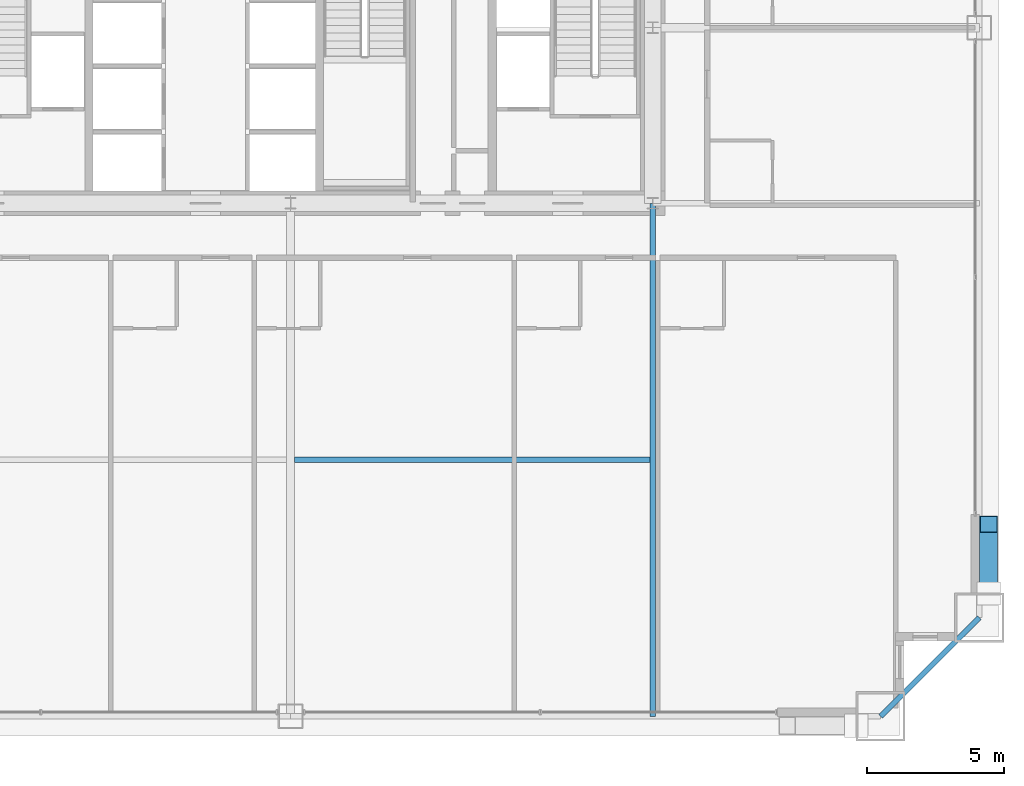
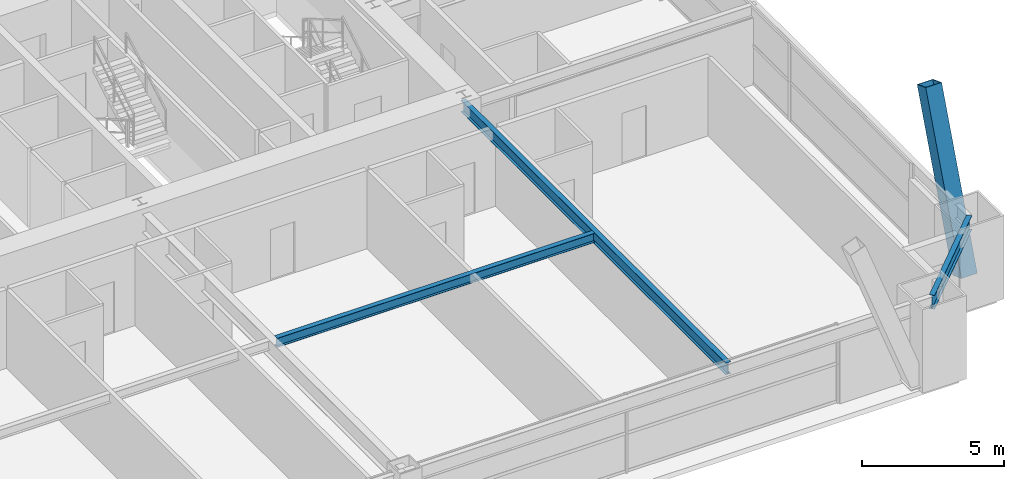
# One storey, part 16 of 43: 3 beams, 1 member.
"""IFC4 building model written with IfcOpenShell, lengths in metres."""

from ifc_helpers import new_model, si_unit, direction, frame, origin, origin_2d, place, context, subcontext, project, spatial, hollow_rectangle, i_section, extrude, source, transform, mapped, material, material_profile, profile_set, type_object, element, save


model = new_model("IFC4")

# Units and contexts
model_context = context("Model", 3, precision=1e-05, world=origin(), true_north=direction((0.0, 1.0)))
body_context = subcontext(model_context, "Body", "Model", "MODEL_VIEW")
ifc_project = project(units=[si_unit("LENGTHUNIT", "METRE"), si_unit("AREAUNIT", "SQUARE_METRE"), si_unit("VOLUMEUNIT", "CUBIC_METRE"), si_unit("PLANEANGLEUNIT", "RADIAN"), si_unit("MASSUNIT", "GRAM", prefix="KILO"), si_unit("THERMODYNAMICTEMPERATUREUNIT", "KELVIN"), si_unit("POWERUNIT", "WATT")], contexts=[model_context])

# Site, building, storey
site_placement = place(None, origin())
site = spatial("IfcSite", under=ifc_project, at=site_placement, CompositionType="ELEMENT")
building_placement = place(site_placement, origin())
building = spatial("IfcBuilding", under=site, at=building_placement, Name="Yuzanri Waterfront Tower", CompositionType="ELEMENT")
storey_placement = place(building_placement, frame((0.0, 0.0, 60.39990234375)))
storey = spatial("IfcBuildingStorey", under=building, at=storey_placement, Name="L15", CompositionType="ELEMENT", Elevation=60.39990234375)

# Beams
ifc_material_1 = material(Name="Steel Q355B", Category="steel")
ifc_material_profile_1 = material_profile(ifc_material_1, i_section(OverallWidth=0.199951171875, OverallDepth=0.60009765625, WebThickness=0.010986328125, FlangeThickness=0.01708984375, at=origin_2d()), Name="HN 600x200x11x17")
ifc_profile_set_1 = profile_set([ifc_material_profile_1], Name="Steel Q355B")
beam_type_1 = type_object("IfcBeamType", Name="Perimeter Spandrel Q355B HN 600x200", PredefinedType="SPANDREL", material=ifc_profile_set_1)
shared_shape_1 = source(origin(), body_context, "Body", "SweptSolid", [
    extrude(i_section(OverallWidth=0.199951171875, OverallDepth=0.60009765625, WebThickness=0.010986328125, FlangeThickness=0.01708984375, at=origin_2d()), origin(), (0.0, 0.0, 1.0), 5.09130859375),
])
beam_1_placement = place(storey_placement, frame((58.5, 0.699951171875, 3.080078125), z_axis=(0.707106781187, 0.707106781187, 0.0), x_axis=(-0.707106781187, 0.707106781187, 0.0)))
element("IfcBeam", 1, at=beam_1_placement, inside=storey, type_object=beam_type_1, Name="L15 Perimeter Spandrel S3-E1", PredefinedType="SPANDREL", context=body_context, shape_type="MappedRepresentation", body=[
    mapped(shared_shape_1, transform((0.0, 0.0, 0.0), scale=1.0)),
])
ifc_material_2 = material(Name="Steel Q355B", Category="steel")
ifc_material_profile_2 = material_profile(ifc_material_2, i_section(OverallWidth=0.199951171875, OverallDepth=0.5, WebThickness=0.010009765625, FlangeThickness=0.01611328125, at=origin_2d()), Name="HN 500x200x10x16")
ifc_profile_set_2 = profile_set([ifc_material_profile_2], Name="Steel Q355B")
beam_type_2 = type_object("IfcBeamType", Name="Secondary Floor Beam Q355B HN 500x200", PredefinedType="BEAM", material=ifc_profile_set_2)
shared_shape_2 = source(origin(), body_context, "Body", "SweptSolid", [
    extrude(i_section(OverallWidth=0.199951171875, OverallDepth=0.5, WebThickness=0.010009765625, FlangeThickness=0.01611328125, at=origin_2d()), origin(), (0.0, 0.0, 1.0), 18.699951171875),
])
beam_2_placement = place(storey_placement, frame((50.199951171875, 19.39990234375, 3.130126953125), z_axis=(0.0, -1.0, 0.0), x_axis=(1.0, 0.0, 0.0)))
element("IfcBeam", 2, at=beam_2_placement, inside=storey, type_object=beam_type_2, Name="L15 South-East Core Line Beam", PredefinedType="BEAM", context=body_context, shape_type="MappedRepresentation", body=[
    mapped(shared_shape_2, transform((0.0, 0.0, 0.0), scale=1.0)),
])
ifc_material_3 = material(Name="Steel Q355B", Category="steel")
ifc_material_profile_3 = material_profile(ifc_material_3, i_section(OverallWidth=0.199951171875, OverallDepth=0.39990234375, WebThickness=0.008056640625, FlangeThickness=0.012939453125, at=origin_2d()), Name="HN 400x200x8x13")
ifc_profile_set_3 = profile_set([ifc_material_profile_3], Name="Steel Q355B")
beam_type_3 = type_object("IfcBeamType", Name="Floor Joist Q355B HN 400x200", PredefinedType="JOIST", material=ifc_profile_set_3)
shared_shape_3 = source(origin(), body_context, "Body", "SweptSolid", [
    extrude(i_section(OverallWidth=0.199951171875, OverallDepth=0.39990234375, WebThickness=0.008056640625, FlangeThickness=0.012939453125, at=origin_2d()), origin(), (0.0, 0.0, 1.0), 12.9501953125),
])
beam_3_placement = place(storey_placement, frame((37.14990234375, 10.050048828125, 3.18017578125), z_axis=(1.0, 0.0, 0.0), x_axis=(0.0, 1.0, 0.0)))
element("IfcBeam", 3, at=beam_3_placement, inside=storey, type_object=beam_type_3, Name="L15 South Bay Joist E", PredefinedType="JOIST", context=body_context, shape_type="MappedRepresentation", body=[
    mapped(shared_shape_3, transform((0.0, 0.0, 0.0), scale=1.0)),
])

# Member
ifc_material_4 = material(Name="Steel Q420GJC", Category="steel")
ifc_material_profile_4 = material_profile(ifc_material_4, hollow_rectangle(XDim=0.64990234375, YDim=0.64990234375, WallThickness=0.028076171875, at=origin_2d()), Name="RHS 650x650x28")
ifc_profile_set_4 = profile_set([ifc_material_profile_4], Name="Steel Q420GJC")
member_type = type_object("IfcMemberType", Name="Mega Brace Lower Q420GJC RHS 650x650x28", PredefinedType="BRACE", material=ifc_profile_set_4)
shared_shape_4 = source(origin(), body_context, "Body", "SweptSolid", [
    extrude(hollow_rectangle(XDim=0.64990234375, YDim=0.64990234375, WallThickness=0.028076171875, at=origin_2d()), origin(), (0.0, 0.0, 1.0), 7.158203125),
])
member_placement = place(storey_placement, frame((62.43994140625, 5.179931640625, 0.18017578125), z_axis=(0.0, 0.352046480343, 0.935982518896), x_axis=(-1.0, 0.0, 0.0)))
element("IfcMember", 4, at=member_placement, inside=storey, type_object=member_type, Name="L15-L16 Perimeter Mega-Brace E-L", PredefinedType="BRACE", context=body_context, shape_type="MappedRepresentation", body=[
    mapped(shared_shape_4, transform((0.0, 0.0, 0.0), scale=1.0)),
])

save(model, "model.ifc")
